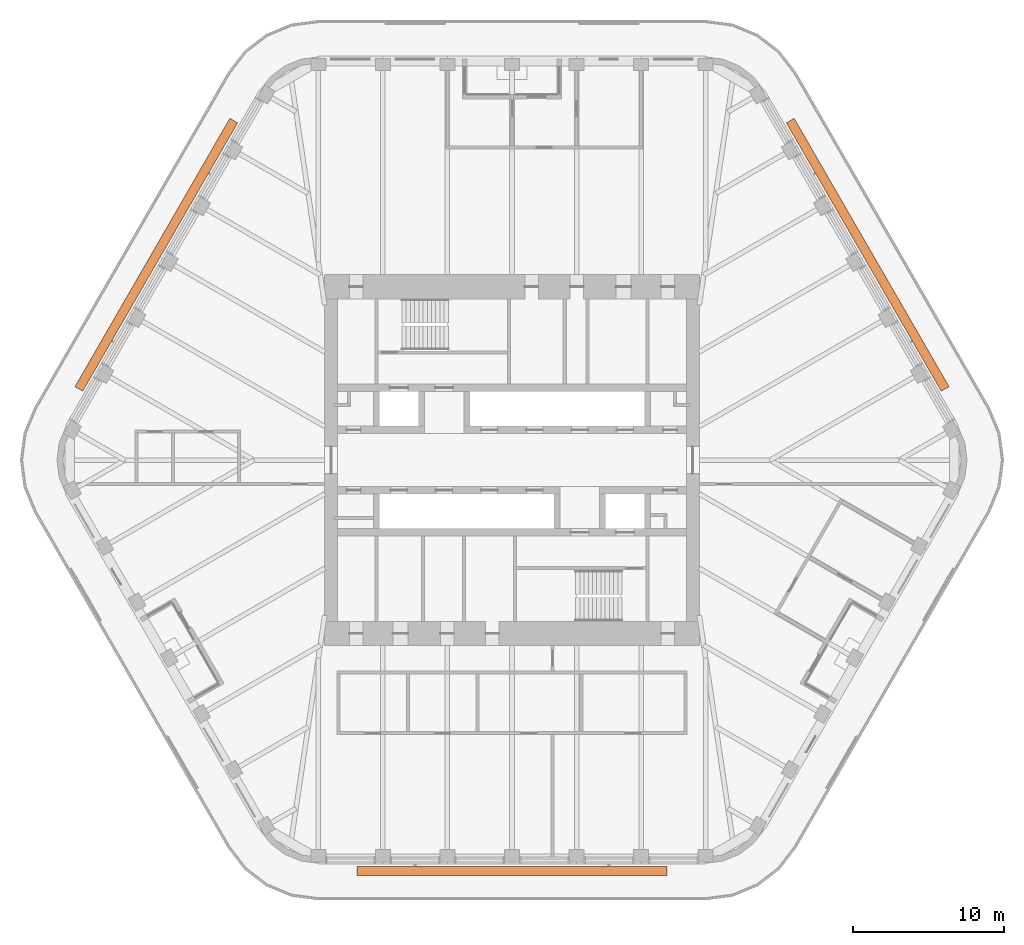
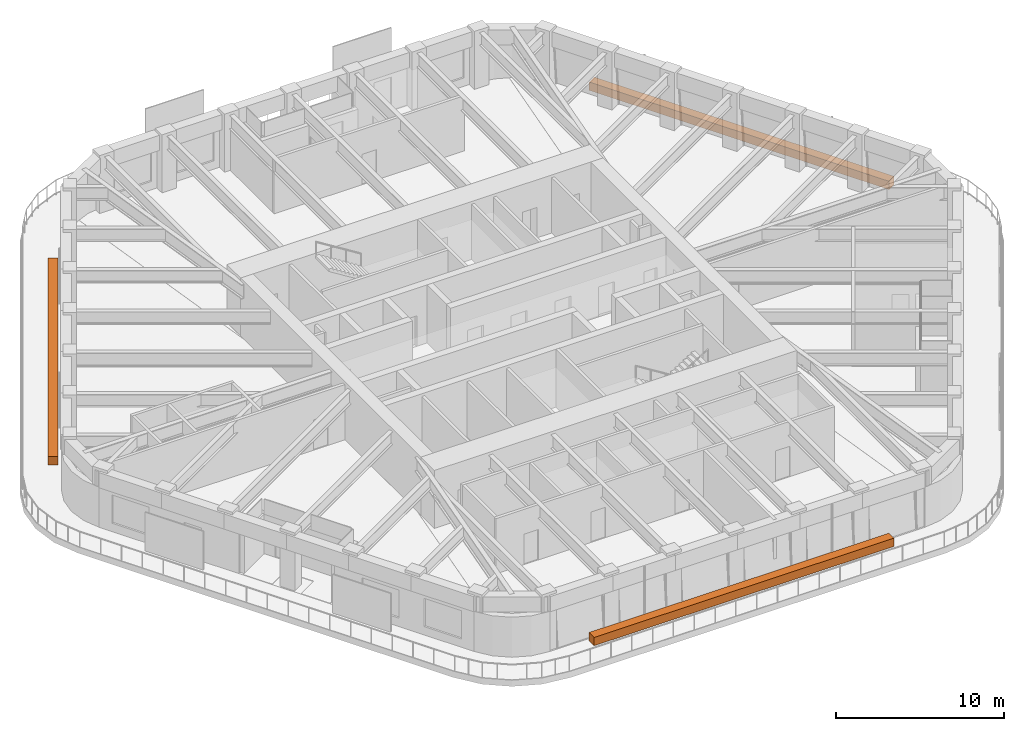
# One storey, part 19 of 19: 3 proxies.
"""IFC4 building model written with IfcOpenShell, lengths in metres."""

from ifc_helpers import new_model, si_unit, direction, frame, origin, origin_2d, place, context, subcontext, project, spatial, rectangle, extrude, material, element, save


model = new_model("IFC4")

# Units and contexts
model_context = context("Model", 3, precision=1e-05, world=origin(), true_north=direction((0.0, 1.0)))
body_context = subcontext(model_context, "Body", "Model", "MODEL_VIEW")
ifc_project = project(units=[si_unit("LENGTHUNIT", "METRE"), si_unit("AREAUNIT", "SQUARE_METRE"), si_unit("VOLUMEUNIT", "CUBIC_METRE"), si_unit("PLANEANGLEUNIT", "RADIAN"), si_unit("MASSUNIT", "GRAM", prefix="KILO")], contexts=[model_context])

# Site, building, storey
site_placement = place(None, origin())
site = spatial("IfcSite", under=ifc_project, at=site_placement, CompositionType="ELEMENT")
building_placement = place(site_placement, origin())
building = spatial("IfcBuilding", under=site, at=building_placement, Name="Tarfa Lantern Tower", CompositionType="ELEMENT")
storey_placement = place(building_placement, frame((0.0, 0.0, 336.699951171875)))
storey = spatial("IfcBuildingStorey", under=building, at=storey_placement, Name="L76", CompositionType="ELEMENT", Elevation=336.699951171875)

# Proxies
ifc_material = material(Name="Planting bed")
for number, where, z_axis, x_axis, name in (
    (1, (23.59912109375, 13.625, 0.0), (0.0, 0.0, 1.0), (-0.5, 0.866025403784, 0.0), "Balcony planter"),
    (2, (-23.59912109375, 13.625, 0.0), (0.0, 0.0, 1.0), (-0.5, -0.866025403784, 0.0), "Balcony planter"),
    (3, (0.0, -27.25, 0.0), (0.0, 0.0, 1.0), (1.0, 0.0, 0.0), "Balcony planter"),
):
    element("IfcBuildingElementProxy", number, at=place(storey_placement, frame(where, z_axis=z_axis, x_axis=x_axis)), inside=storey, material=ifc_material, Name=name, ObjectType="PLANTER", PredefinedType="USERDEFINED", context=body_context, shape_type="SweptSolid", body=[
        extrude(rectangle(XDim=20.5537109375, YDim=0.60009765625, at=origin_2d()), origin(), (0.0, 0.0, 1.0), 0.60009765625),
    ])

save(model, "model.ifc")
